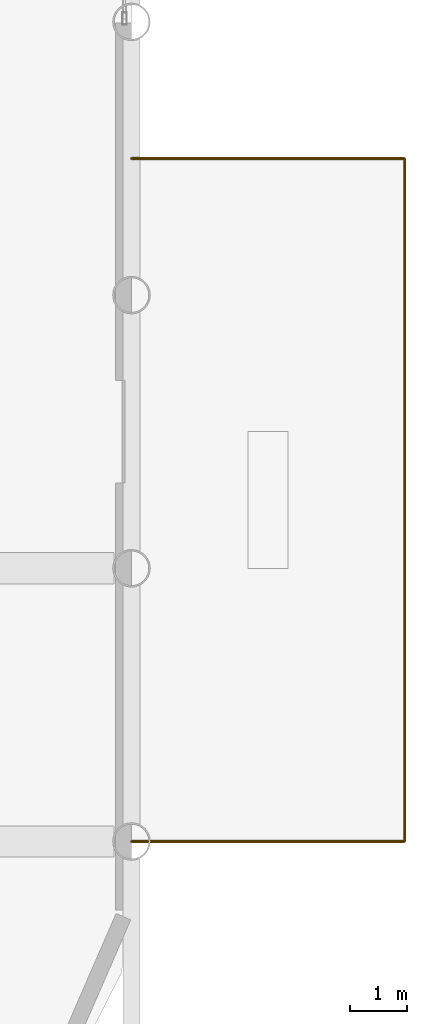
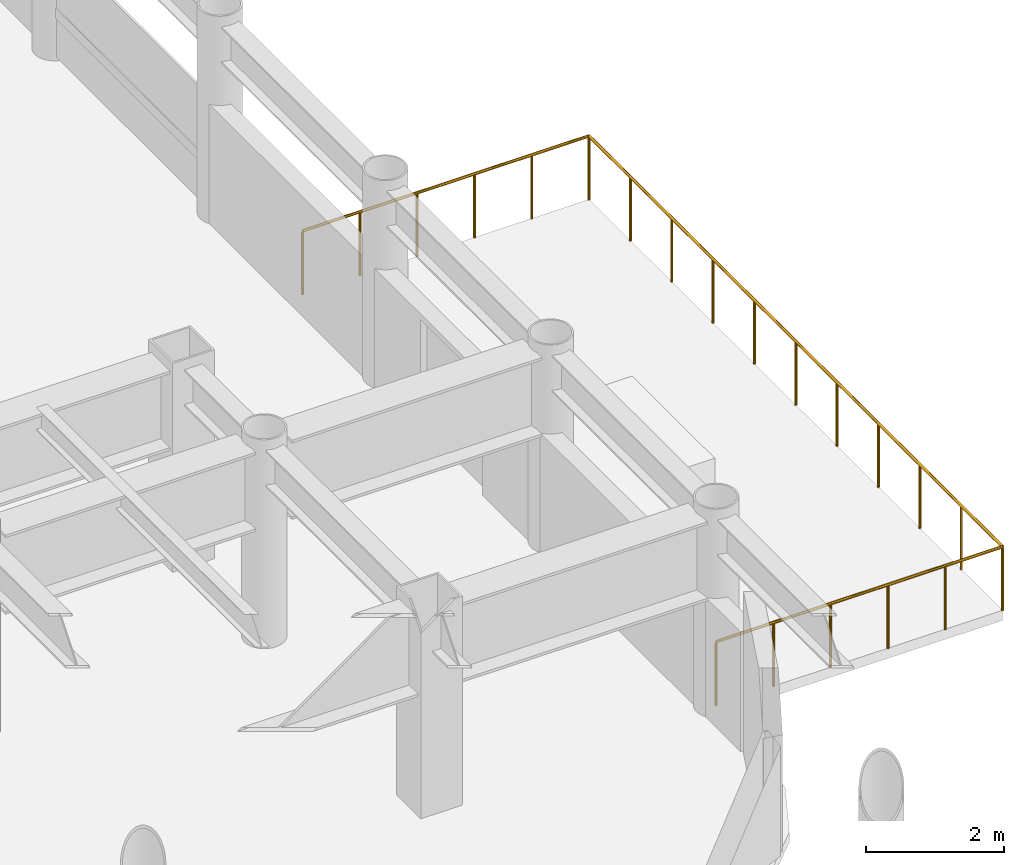
# One storey, part 23 of 23: 3 railings.
"""IFC4 building model written with IfcOpenShell, lengths in metres."""

from ifc_helpers import new_model, si_unit, direction, frame, origin, origin_2d, place, context, subcontext, project, spatial, circle, extrude, material, layer, layer_set, type_object, element, save


model = new_model("IFC4")

# Units and contexts
model_context = context("Model", 3, precision=1e-05, world=origin(), true_north=direction((0.0, 1.0)))
body_context = subcontext(model_context, "Body", "Model", "MODEL_VIEW")
ifc_project = project(units=[si_unit("LENGTHUNIT", "METRE"), si_unit("AREAUNIT", "SQUARE_METRE"), si_unit("VOLUMEUNIT", "CUBIC_METRE"), si_unit("PLANEANGLEUNIT", "RADIAN"), si_unit("MASSUNIT", "GRAM", prefix="KILO")], contexts=[model_context])

# Site, building, storey
site_placement = place(None, origin())
site = spatial("IfcSite", under=ifc_project, at=site_placement, CompositionType="ELEMENT")
building_placement = place(site_placement, origin())
building = spatial("IfcBuilding", under=site, at=building_placement, Name="Kallvorn Hotel Tower", CompositionType="ELEMENT")
storey_placement = place(building_placement, frame((0.0, 0.0, 124.800048828125)))
storey = spatial("IfcBuildingStorey", under=building, at=storey_placement, Name="L30", CompositionType="ELEMENT", Elevation=124.800048828125)

# Railings
ifc_material = material(Name="Galvanised painted steel S275JR balustrade", Category="steel")
ifc_layer = layer(ifc_material, 0.06005859375)
ifc_layer_set = layer_set([ifc_layer], Name="RL_BALUSTRADE_1150")
railing_type = type_object("IfcRailingType", Name="RL_BALUSTRADE_1150", PredefinedType="BALUSTRADE", material=ifc_layer_set)
railing_1_placement = place(storey_placement, frame((28.800048828125, -14.39990234375, 0.0)))
element("IfcRailing", 1, at=railing_1_placement, inside=storey, type_object=railing_type, Name="L30 Exterior Safety Guardrail TER-L30-E-01", PredefinedType="BALUSTRADE", context=body_context, shape_type="SweptSolid", body=[
    extrude(circle(Radius=0.02392578125, at=origin_2d()), frame((0.0, 0.0, 1.1259765625), z_axis=(1.0, 0.0, 0.0), x_axis=(0.0, 1.0, 0.0)), (0.0, 0.0, 1.0), 4.800048828125),
    extrude(circle(Radius=0.02099609375, at=origin_2d()), origin(), (0.0, 0.0, 1.0), 1.101806640625),
    extrude(circle(Radius=0.02099609375, at=origin_2d()), frame((0.9599609375, 0.0, 0.0)), (0.0, 0.0, 1.0), 1.101806640625),
    extrude(circle(Radius=0.02099609375, at=origin_2d()), frame((1.919921875, 0.0, 0.0)), (0.0, 0.0, 1.0), 1.101806640625),
    extrude(circle(Radius=0.02099609375, at=origin_2d()), frame((2.880126953125, 0.0, 0.0)), (0.0, 0.0, 1.0), 1.101806640625),
    extrude(circle(Radius=0.02099609375, at=origin_2d()), frame((3.840087890625, 0.0, 0.0)), (0.0, 0.0, 1.0), 1.101806640625),
    extrude(circle(Radius=0.02099609375, at=origin_2d()), frame((4.800048828125, 0.0, 0.0)), (0.0, 0.0, 1.0), 1.101806640625),
])
railing_2_placement = place(storey_placement, frame((33.60009765625, -14.39990234375, 0.0)))
element("IfcRailing", 2, at=railing_2_placement, inside=storey, type_object=railing_type, Name="L30 Exterior Safety Guardrail TER-L30-E-02", PredefinedType="BALUSTRADE", context=body_context, shape_type="SweptSolid", body=[
    extrude(circle(Radius=0.02392578125, at=origin_2d()), frame((0.0, 0.0, 1.1259765625), z_axis=(0.0, 1.0, 0.0), x_axis=(-1.0, 0.0, 0.0)), (0.0, 0.0, 1.0), 12.0),
    extrude(circle(Radius=0.02099609375, at=origin_2d()), origin(), (0.0, 0.0, 1.0), 1.101806640625),
    extrude(circle(Radius=0.02099609375, at=origin_2d()), frame((0.0, 1.199951171875, 0.0)), (0.0, 0.0, 1.0), 1.101806640625),
    extrude(circle(Radius=0.02099609375, at=origin_2d()), frame((0.0, 2.39990234375, 0.0)), (0.0, 0.0, 1.0), 1.101806640625),
    extrude(circle(Radius=0.02099609375, at=origin_2d()), frame((0.0, 3.60009765625, 0.0)), (0.0, 0.0, 1.0), 1.101806640625),
    extrude(circle(Radius=0.02099609375, at=origin_2d()), frame((0.0, 4.800048828125, 0.0)), (0.0, 0.0, 1.0), 1.101806640625),
    extrude(circle(Radius=0.02099609375, at=origin_2d()), frame((0.0, 6.0, 0.0)), (0.0, 0.0, 1.0), 1.101806640625),
    extrude(circle(Radius=0.02099609375, at=origin_2d()), frame((0.0, 7.199951171875, 0.0)), (0.0, 0.0, 1.0), 1.101806640625),
    extrude(circle(Radius=0.02099609375, at=origin_2d()), frame((0.0, 8.39990234375, 0.0)), (0.0, 0.0, 1.0), 1.101806640625),
    extrude(circle(Radius=0.02099609375, at=origin_2d()), frame((0.0, 9.60009765625, 0.0)), (0.0, 0.0, 1.0), 1.101806640625),
    extrude(circle(Radius=0.02099609375, at=origin_2d()), frame((0.0, 10.800048828125, 0.0)), (0.0, 0.0, 1.0), 1.101806640625),
    extrude(circle(Radius=0.02099609375, at=origin_2d()), frame((0.0, 12.0, 0.0)), (0.0, 0.0, 1.0), 1.101806640625),
])
railing_3_placement = place(storey_placement, frame((33.60009765625, -2.39990234375, 0.0)))
element("IfcRailing", 3, at=railing_3_placement, inside=storey, type_object=railing_type, Name="L30 Exterior Safety Guardrail TER-L30-E-03", PredefinedType="BALUSTRADE", context=body_context, shape_type="SweptSolid", body=[
    extrude(circle(Radius=0.02392578125, at=origin_2d()), frame((0.0, 0.0, 1.1259765625), z_axis=(-1.0, 0.0, 0.0), x_axis=(0.0, -1.0, 0.0)), (0.0, 0.0, 1.0), 4.800048828125),
    extrude(circle(Radius=0.02099609375, at=origin_2d()), origin(), (0.0, 0.0, 1.0), 1.101806640625),
    extrude(circle(Radius=0.02099609375, at=origin_2d()), frame((-0.9599609375, 0.0, 0.0)), (0.0, 0.0, 1.0), 1.101806640625),
    extrude(circle(Radius=0.02099609375, at=origin_2d()), frame((-1.919921875, 0.0, 0.0)), (0.0, 0.0, 1.0), 1.101806640625),
    extrude(circle(Radius=0.02099609375, at=origin_2d()), frame((-2.880126953125, 0.0, 0.0)), (0.0, 0.0, 1.0), 1.101806640625),
    extrude(circle(Radius=0.02099609375, at=origin_2d()), frame((-3.840087890625, 0.0, 0.0)), (0.0, 0.0, 1.0), 1.101806640625),
    extrude(circle(Radius=0.02099609375, at=origin_2d()), frame((-4.800048828125, 0.0, 0.0)), (0.0, 0.0, 1.0), 1.101806640625),
])

save(model, "model.ifc")
